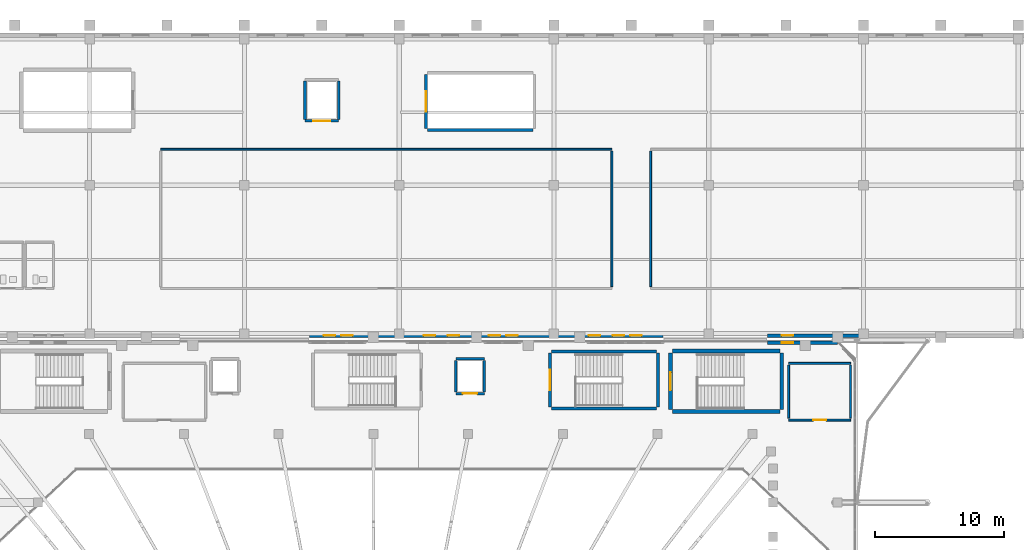
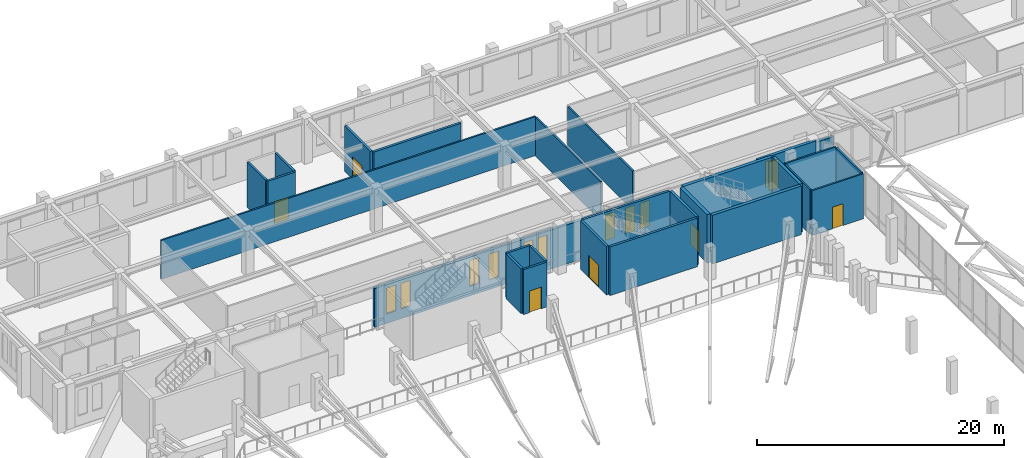
# One storey, part 61 of 79: 27 walls, 11 windows, 6 doors, 17 openings.
"""IFC4 building model written with IfcOpenShell, lengths in metres."""

from ifc_helpers import new_model, si_unit, derived_unit, direction, frame, frame_2d, origin, place, context, subcontext, project, spatial, rectangle, extrude, material, layer, layer_set, type_object, element, fill, save


model = new_model("IFC4")

# Units and contexts
model_context = context("Model", 3, precision=1e-05, world=origin(), true_north=direction((0.0, 1.0)))
body_context = subcontext(model_context, "Body", "Model", "MODEL_VIEW")
ifc_project = project(units=[si_unit("LENGTHUNIT", "METRE"), si_unit("AREAUNIT", "SQUARE_METRE"), si_unit("VOLUMEUNIT", "CUBIC_METRE"), si_unit("PLANEANGLEUNIT", "RADIAN"), si_unit("MASSUNIT", "GRAM", prefix="KILO"), derived_unit("THERMALTRANSMITTANCEUNIT", [(si_unit("MASSUNIT", "GRAM", prefix="KILO"), 1), (si_unit("TIMEUNIT", "SECOND"), -3), (si_unit("THERMODYNAMICTEMPERATUREUNIT", "KELVIN"), -1)])], contexts=[model_context])

# Site, building, storey
site_placement = place(None, origin())
site = spatial("IfcSite", under=ifc_project, at=site_placement, CompositionType="ELEMENT")
building_placement = place(site_placement, origin())
building = spatial("IfcBuilding", under=site, at=building_placement, Name="Valcora Ridge Arena", CompositionType="ELEMENT")
storey_placement = place(building_placement, frame((0.0, 0.0, 16.199951171875)))
storey = spatial("IfcBuildingStorey", under=building, at=storey_placement, Name="L03", CompositionType="ELEMENT", Elevation=16.199951171875)

# Wall, openings, windows
ifc_material_1 = material(Name="Bush-hammered Andean travertine on concrete backup C40/50", Category="masonry")
ifc_layer_1 = layer(ifc_material_1, 0.280029296875, Name="Bush-hammered Andean travertine on concrete backup C40/50")
ifc_layer_set_1 = layer_set([ifc_layer_1], Name="Bush-hammered Andean travertine on concrete backup C40/50")
wall_type_1 = type_object("IfcWallType", Name="TY-WALL-EW-TRV-28-38", PredefinedType="STANDARD", material=ifc_layer_set_1)
wall_1_placement = place(storey_placement, frame((53.050048828125, 108.550048828125, 0.0), z_axis=(0.0, 0.0, 1.0), x_axis=(1.0, 0.0, 0.0)))
wall_1 = element("IfcWall", 1, at=wall_1_placement, inside=storey, type_object=wall_type_1, Name="EW-TRV-28-38 WAL-EW-0217", PredefinedType="STANDARD", context=body_context, shape_type="SweptSolid", body=[
    extrude(rectangle(XDim=27.39990234375, YDim=0.280029296875, at=frame_2d((13.699951171875, 0.0))), origin(), (0.0, 0.0, 1.0), 3.84814453125),
])
opening_1_placement = place(wall_1_placement, frame((1.10009765625, 0.0, 0.949951171875)))
opening_1 = element("IfcOpeningElement", 2, at=opening_1_placement, cuts=wall_1, Name="Opening W-GLAN-90X255", PredefinedType="OPENING", context=body_context, shape_type="SweptSolid", body=[
    extrude(rectangle(XDim=0.89990234375, YDim=2.550048828125, at=frame_2d((0.449951171875, 1.27490234375))), frame((0.0, 0.14990234375, 0.0), z_axis=(0.0, -1.0, 0.0), x_axis=(1.0, 0.0, 0.0)), (0.0, 0.0, 1.0), 0.300048828125),
])
opening_2_placement = place(wall_1_placement, frame((2.449951171875, 0.0, 0.949951171875)))
opening_2 = element("IfcOpeningElement", 3, at=opening_2_placement, cuts=wall_1, Name="Opening W-GLAN-90X255", PredefinedType="OPENING", context=body_context, shape_type="SweptSolid", body=[
    extrude(rectangle(XDim=0.89990234375, YDim=2.550048828125, at=frame_2d((0.449951171875, 1.27490234375))), frame((0.0, 0.14990234375, 0.0), z_axis=(0.0, -1.0, 0.0), x_axis=(1.0, 0.0, 0.0)), (0.0, 0.0, 1.0), 0.300048828125),
])
opening_3_placement = place(wall_1_placement, frame((8.85009765625, 0.0, 0.949951171875)))
opening_3 = element("IfcOpeningElement", 4, at=opening_3_placement, cuts=wall_1, Name="Opening W-GLAN-90X255", PredefinedType="OPENING", context=body_context, shape_type="SweptSolid", body=[
    extrude(rectangle(XDim=0.89990234375, YDim=2.550048828125, at=frame_2d((0.449951171875, 1.27490234375))), frame((0.0, 0.14990234375, 0.0), z_axis=(0.0, -1.0, 0.0), x_axis=(1.0, 0.0, 0.0)), (0.0, 0.0, 1.0), 0.300048828125),
])
opening_4_placement = place(wall_1_placement, frame((10.699951171875, 0.0, 0.949951171875)))
opening_4 = element("IfcOpeningElement", 5, at=opening_4_placement, cuts=wall_1, Name="Opening W-GLAN-90X255", PredefinedType="OPENING", context=body_context, shape_type="SweptSolid", body=[
    extrude(rectangle(XDim=0.89990234375, YDim=2.550048828125, at=frame_2d((0.449951171875, 1.27490234375))), frame((0.0, 0.14990234375, 0.0), z_axis=(0.0, -1.0, 0.0), x_axis=(1.0, 0.0, 0.0)), (0.0, 0.0, 1.0), 0.300048828125),
])
opening_5_placement = place(wall_1_placement, frame((13.89990234375, 0.0, 0.949951171875)))
opening_5 = element("IfcOpeningElement", 6, at=opening_5_placement, cuts=wall_1, Name="Opening W-GLAN-90X255", PredefinedType="OPENING", context=body_context, shape_type="SweptSolid", body=[
    extrude(rectangle(XDim=0.89990234375, YDim=2.550048828125, at=frame_2d((0.449951171875, 1.27490234375))), frame((0.0, 0.14990234375, 0.0), z_axis=(0.0, -1.0, 0.0), x_axis=(1.0, 0.0, 0.0)), (0.0, 0.0, 1.0), 0.300048828125),
])
opening_6_placement = place(wall_1_placement, frame((15.25, 0.0, 0.949951171875)))
opening_6 = element("IfcOpeningElement", 7, at=opening_6_placement, cuts=wall_1, Name="Opening W-GLAN-90X255", PredefinedType="OPENING", context=body_context, shape_type="SweptSolid", body=[
    extrude(rectangle(XDim=0.89990234375, YDim=2.550048828125, at=frame_2d((0.449951171875, 1.27490234375))), frame((0.0, 0.14990234375, 0.0), z_axis=(0.0, -1.0, 0.0), x_axis=(1.0, 0.0, 0.0)), (0.0, 0.0, 1.0), 0.300048828125),
])
opening_7_placement = place(wall_1_placement, frame((21.64990234375, 0.0, 0.949951171875)))
opening_7 = element("IfcOpeningElement", 8, at=opening_7_placement, cuts=wall_1, Name="Opening W-GLAN-90X255", PredefinedType="OPENING", context=body_context, shape_type="SweptSolid", body=[
    extrude(rectangle(XDim=0.89990234375, YDim=2.550048828125, at=frame_2d((0.449951171875, 1.27490234375))), frame((0.0, 0.14990234375, 0.0), z_axis=(0.0, -1.0, 0.0), x_axis=(1.0, 0.0, 0.0)), (0.0, 0.0, 1.0), 0.300048828125),
])
opening_8_placement = place(wall_1_placement, frame((23.5, 0.0, 0.949951171875)))
opening_8 = element("IfcOpeningElement", 9, at=opening_8_placement, cuts=wall_1, Name="Opening W-GLAN-90X255", PredefinedType="OPENING", context=body_context, shape_type="SweptSolid", body=[
    extrude(rectangle(XDim=0.89990234375, YDim=2.550048828125, at=frame_2d((0.449951171875, 1.27490234375))), frame((0.0, 0.14990234375, 0.0), z_axis=(0.0, -1.0, 0.0), x_axis=(1.0, 0.0, 0.0)), (0.0, 0.0, 1.0), 0.300048828125),
])
opening_9_placement = place(wall_1_placement, frame((24.85009765625, 0.0, 0.949951171875)))
opening_9 = element("IfcOpeningElement", 10, at=opening_9_placement, cuts=wall_1, Name="Opening W-GLAN-90X255", PredefinedType="OPENING", context=body_context, shape_type="SweptSolid", body=[
    extrude(rectangle(XDim=0.89990234375, YDim=2.550048828125, at=frame_2d((0.449951171875, 1.27490234375))), frame((0.0, 0.14990234375, 0.0), z_axis=(0.0, -1.0, 0.0), x_axis=(1.0, 0.0, 0.0)), (0.0, 0.0, 1.0), 0.300048828125),
])
ifc_material_2 = material(Name="Low-iron solar-control double glazing SHGC 0.28", Category="glass")
window_type_1 = type_object("IfcWindowType", Name="TY-WINDOW-W-GLAN-90X255", PartitioningType="DOUBLE_PANEL_VERTICAL", PredefinedType="WINDOW", material=ifc_material_2)
window_1_placement = place(opening_1_placement, origin())
window_1 = element("IfcWindow", 11, at=window_1_placement, inside=storey, type_object=window_type_1, Name="W-GLAN-90X255 WIN-EX-0653", OverallHeight=2.550048828125, OverallWidth=0.89990234375, PartitioningType="DOUBLE_PANEL_VERTICAL", PredefinedType="WINDOW", context=body_context, shape_type="SweptSolid", body=[
    extrude(rectangle(XDim=0.89990234375, YDim=2.550048828125, at=frame_2d((0.449951171875, 1.27490234375))), frame((0.0, 0.030029296875, 0.0), z_axis=(0.0, -1.0, 0.0), x_axis=(1.0, 0.0, 0.0)), (0.0, 0.0, 1.0), 0.06005859375),
])
fill(opening_1, window_1)
window_2_placement = place(opening_2_placement, origin())
window_2 = element("IfcWindow", 12, at=window_2_placement, inside=storey, type_object=window_type_1, Name="W-GLAN-90X255 WIN-EX-0654", OverallHeight=2.550048828125, OverallWidth=0.89990234375, PartitioningType="DOUBLE_PANEL_VERTICAL", PredefinedType="WINDOW", context=body_context, shape_type="SweptSolid", body=[
    extrude(rectangle(XDim=0.89990234375, YDim=2.550048828125, at=frame_2d((0.449951171875, 1.27490234375))), frame((0.0, 0.030029296875, 0.0), z_axis=(0.0, -1.0, 0.0), x_axis=(1.0, 0.0, 0.0)), (0.0, 0.0, 1.0), 0.06005859375),
])
fill(opening_2, window_2)
window_3_placement = place(opening_3_placement, origin())
window_3 = element("IfcWindow", 13, at=window_3_placement, inside=storey, type_object=window_type_1, Name="W-GLAN-90X255 WIN-EX-0655", OverallHeight=2.550048828125, OverallWidth=0.89990234375, PartitioningType="DOUBLE_PANEL_VERTICAL", PredefinedType="WINDOW", context=body_context, shape_type="SweptSolid", body=[
    extrude(rectangle(XDim=0.89990234375, YDim=2.550048828125, at=frame_2d((0.449951171875, 1.27490234375))), frame((0.0, 0.030029296875, 0.0), z_axis=(0.0, -1.0, 0.0), x_axis=(1.0, 0.0, 0.0)), (0.0, 0.0, 1.0), 0.06005859375),
])
fill(opening_3, window_3)
window_4_placement = place(opening_4_placement, origin())
window_4 = element("IfcWindow", 14, at=window_4_placement, inside=storey, type_object=window_type_1, Name="W-GLAN-90X255 WIN-EX-0656", OverallHeight=2.550048828125, OverallWidth=0.89990234375, PartitioningType="DOUBLE_PANEL_VERTICAL", PredefinedType="WINDOW", context=body_context, shape_type="SweptSolid", body=[
    extrude(rectangle(XDim=0.89990234375, YDim=2.550048828125, at=frame_2d((0.449951171875, 1.27490234375))), frame((0.0, 0.030029296875, 0.0), z_axis=(0.0, -1.0, 0.0), x_axis=(1.0, 0.0, 0.0)), (0.0, 0.0, 1.0), 0.06005859375),
])
fill(opening_4, window_4)
window_5_placement = place(opening_5_placement, origin())
window_5 = element("IfcWindow", 15, at=window_5_placement, inside=storey, type_object=window_type_1, Name="W-GLAN-90X255 WIN-EX-0657", OverallHeight=2.550048828125, OverallWidth=0.89990234375, PartitioningType="DOUBLE_PANEL_VERTICAL", PredefinedType="WINDOW", context=body_context, shape_type="SweptSolid", body=[
    extrude(rectangle(XDim=0.89990234375, YDim=2.550048828125, at=frame_2d((0.449951171875, 1.27490234375))), frame((0.0, 0.030029296875, 0.0), z_axis=(0.0, -1.0, 0.0), x_axis=(1.0, 0.0, 0.0)), (0.0, 0.0, 1.0), 0.06005859375),
])
fill(opening_5, window_5)
window_6_placement = place(opening_6_placement, origin())
window_6 = element("IfcWindow", 16, at=window_6_placement, inside=storey, type_object=window_type_1, Name="W-GLAN-90X255 WIN-EX-0658", OverallHeight=2.550048828125, OverallWidth=0.89990234375, PartitioningType="DOUBLE_PANEL_VERTICAL", PredefinedType="WINDOW", context=body_context, shape_type="SweptSolid", body=[
    extrude(rectangle(XDim=0.89990234375, YDim=2.550048828125, at=frame_2d((0.449951171875, 1.27490234375))), frame((0.0, 0.030029296875, 0.0), z_axis=(0.0, -1.0, 0.0), x_axis=(1.0, 0.0, 0.0)), (0.0, 0.0, 1.0), 0.06005859375),
])
fill(opening_6, window_6)
window_7_placement = place(opening_7_placement, origin())
window_7 = element("IfcWindow", 17, at=window_7_placement, inside=storey, type_object=window_type_1, Name="W-GLAN-90X255 WIN-EX-0659", OverallHeight=2.550048828125, OverallWidth=0.89990234375, PartitioningType="DOUBLE_PANEL_VERTICAL", PredefinedType="WINDOW", context=body_context, shape_type="SweptSolid", body=[
    extrude(rectangle(XDim=0.89990234375, YDim=2.550048828125, at=frame_2d((0.449951171875, 1.27490234375))), frame((0.0, 0.030029296875, 0.0), z_axis=(0.0, -1.0, 0.0), x_axis=(1.0, 0.0, 0.0)), (0.0, 0.0, 1.0), 0.06005859375),
])
fill(opening_7, window_7)
window_8_placement = place(opening_8_placement, origin())
window_8 = element("IfcWindow", 18, at=window_8_placement, inside=storey, type_object=window_type_1, Name="W-GLAN-90X255 WIN-EX-0660", OverallHeight=2.550048828125, OverallWidth=0.89990234375, PartitioningType="DOUBLE_PANEL_VERTICAL", PredefinedType="WINDOW", context=body_context, shape_type="SweptSolid", body=[
    extrude(rectangle(XDim=0.89990234375, YDim=2.550048828125, at=frame_2d((0.449951171875, 1.27490234375))), frame((0.0, 0.030029296875, 0.0), z_axis=(0.0, -1.0, 0.0), x_axis=(1.0, 0.0, 0.0)), (0.0, 0.0, 1.0), 0.06005859375),
])
fill(opening_8, window_8)
window_9_placement = place(opening_9_placement, origin())
window_9 = element("IfcWindow", 19, at=window_9_placement, inside=storey, type_object=window_type_1, Name="W-GLAN-90X255 WIN-EX-0661", OverallHeight=2.550048828125, OverallWidth=0.89990234375, PartitioningType="DOUBLE_PANEL_VERTICAL", PredefinedType="WINDOW", context=body_context, shape_type="SweptSolid", body=[
    extrude(rectangle(XDim=0.89990234375, YDim=2.550048828125, at=frame_2d((0.449951171875, 1.27490234375))), frame((0.0, 0.030029296875, 0.0), z_axis=(0.0, -1.0, 0.0), x_axis=(1.0, 0.0, 0.0)), (0.0, 0.0, 1.0), 0.06005859375),
])
fill(opening_9, window_9)

# Wall, opening, window
wall_2_placement = place(storey_placement, frame((88.550048828125, 108.550048828125, 0.0), z_axis=(0.0, 0.0, 1.0), x_axis=(1.0, 0.0, 0.0)))
wall_2 = element("IfcWall", 20, at=wall_2_placement, inside=storey, type_object=wall_type_1, Name="EW-TRV-28-38 WAL-EW-0218", PredefinedType="STANDARD", context=body_context, shape_type="SweptSolid", body=[
    extrude(rectangle(XDim=7.449951171875, YDim=0.280029296875, at=frame_2d((3.72509765625, 0.0))), origin(), (0.0, 0.0, 1.0), 3.84814453125),
])
opening_10_placement = place(wall_2_placement, frame((1.10009765625, 0.0, 0.949951171875)))
opening_10 = element("IfcOpeningElement", 21, at=opening_10_placement, cuts=wall_2, Name="Opening W-GLAN-90X255", PredefinedType="OPENING", context=body_context, shape_type="SweptSolid", body=[
    extrude(rectangle(XDim=0.89990234375, YDim=2.550048828125, at=frame_2d((0.449951171875, 1.27490234375))), frame((0.0, 0.14990234375, 0.0), z_axis=(0.0, -1.0, 0.0), x_axis=(1.0, 0.0, 0.0)), (0.0, 0.0, 1.0), 0.300048828125),
])
window_10_placement = place(opening_10_placement, origin())
window_10 = element("IfcWindow", 22, at=window_10_placement, inside=storey, type_object=window_type_1, Name="W-GLAN-90X255 WIN-EX-0662", OverallHeight=2.550048828125, OverallWidth=0.89990234375, PartitioningType="DOUBLE_PANEL_VERTICAL", PredefinedType="WINDOW", context=body_context, shape_type="SweptSolid", body=[
    extrude(rectangle(XDim=0.89990234375, YDim=2.550048828125, at=frame_2d((0.449951171875, 1.27490234375))), frame((0.0, 0.030029296875, 0.0), z_axis=(0.0, -1.0, 0.0), x_axis=(1.0, 0.0, 0.0)), (0.0, 0.0, 1.0), 0.06005859375),
])
fill(opening_10, window_10)

ifc_layer_2 = layer(ifc_material_1, 0.280029296875, Name="Bush-hammered Andean travertine on concrete backup C40/50")
ifc_layer_set_2 = layer_set([ifc_layer_2], Name="Bush-hammered Andean travertine on concrete backup C40/50")
wall_type_2 = type_object("IfcWallType", Name="TY-WALL-EW-TRV-28-44", PredefinedType="STANDARD", material=ifc_layer_set_2)
wall_3_placement = place(storey_placement, frame((88.550048828125, 108.0, 0.0), z_axis=(0.0, 0.0, 1.0), x_axis=(1.0, 0.0, 0.0)))
wall_3 = element("IfcWall", 23, at=wall_3_placement, inside=storey, type_object=wall_type_2, Name="EW-TRV-28-44 WAL-EW-0058", PredefinedType="STANDARD", context=body_context, shape_type="SweptSolid", body=[
    extrude(rectangle(XDim=5.449951171875, YDim=0.280029296875, at=frame_2d((2.72509765625, 0.0))), origin(), (0.0, 0.0, 1.0), 4.43994140625),
])
opening_11_placement = place(wall_3_placement, frame((1.10009765625, 0.0, 0.949951171875)))
opening_11 = element("IfcOpeningElement", 24, at=opening_11_placement, cuts=wall_3, Name="Opening W-GLAN-90X285", PredefinedType="OPENING", context=body_context, shape_type="SweptSolid", body=[
    extrude(rectangle(XDim=0.89990234375, YDim=2.85009765625, at=frame_2d((0.449951171875, 1.425048828125))), frame((0.0, 0.14990234375, 0.0), z_axis=(0.0, -1.0, 0.0), x_axis=(1.0, 0.0, 0.0)), (0.0, 0.0, 1.0), 0.300048828125),
])
window_type_2 = type_object("IfcWindowType", Name="TY-WINDOW-W-GLAN-90X285", PartitioningType="DOUBLE_PANEL_VERTICAL", PredefinedType="WINDOW", material=ifc_material_2)
window_11_placement = place(opening_11_placement, origin())
window_11 = element("IfcWindow", 25, at=window_11_placement, inside=storey, type_object=window_type_2, Name="W-GLAN-90X285 WIN-EX-0134", OverallHeight=2.85009765625, OverallWidth=0.89990234375, PartitioningType="DOUBLE_PANEL_VERTICAL", PredefinedType="WINDOW", context=body_context, shape_type="SweptSolid", body=[
    extrude(rectangle(XDim=0.89990234375, YDim=2.85009765625, at=frame_2d((0.449951171875, 1.425048828125))), frame((0.0, 0.030029296875, 0.0), z_axis=(0.0, -1.0, 0.0), x_axis=(1.0, 0.0, 0.0)), (0.0, 0.0, 1.0), 0.06005859375),
])
fill(opening_11, window_11)

# Wall, opening, door
ifc_material_3 = material(Name="Fire-rated masonry-core compartment wall C35/45 150 mm", Category="masonry")
ifc_layer_3 = layer(ifc_material_3, 0.14990234375, Name="Fire-rated masonry-core compartment wall C35/45 150 mm")
ifc_layer_set_3 = layer_set([ifc_layer_3], Name="Fire-rated masonry-core compartment wall C35/45 150 mm")
wall_type_3 = type_object("IfcWallType", Name="TY-WALL-IW-COMP-150", PredefinedType="STANDARD", material=ifc_layer_set_3)
wall_4_placement = place(storey_placement, frame((90.199951171875, 102.0, 0.0), z_axis=(0.0, 0.0, 1.0), x_axis=(1.0, 0.0, 0.0)))
wall_4 = element("IfcWall", 26, at=wall_4_placement, inside=storey, type_object=wall_type_3, Name="IW-COMP-150 WAL-IN-0415", PredefinedType="STANDARD", context=body_context, shape_type="SweptSolid", body=[
    extrude(rectangle(XDim=4.800048828125, YDim=0.14990234375, at=frame_2d((2.39990234375, 0.0))), origin(), (0.0, 0.0, 1.0), 4.43994140625),
])
opening_12_placement = place(wall_4_placement, frame((1.89990234375, 0.0, 0.0)))
opening_12 = element("IfcOpeningElement", 27, at=opening_12_placement, cuts=wall_4, Name="Opening FD-STE-1000", PredefinedType="OPENING", context=body_context, shape_type="SweptSolid", body=[
    extrude(rectangle(XDim=1.0, YDim=2.14990234375, at=frame_2d((0.5, 1.074951171875))), frame((0.0, 0.0849609375, 0.0), z_axis=(0.0, -1.0, 0.0), x_axis=(1.0, 0.0, 0.0)), (0.0, 0.0, 1.0), 0.169921875),
])
ifc_material_4 = material(Name="Insulated fire-rated steel door leaf", Category="steel")
door_type_1 = type_object("IfcDoorType", Name="TY-DOOR-FD-STE-1000", OperationType="NOTDEFINED", PredefinedType="DOOR", material=ifc_material_4)
door_1_placement = place(opening_12_placement, origin())
door_1 = element("IfcDoor", 28, at=door_1_placement, inside=storey, type_object=door_type_1, Name="FD-STE-1000 DOR-IN-0109", OperationType="SINGLE_SWING_LEFT", OverallHeight=2.14990234375, OverallWidth=1.0, PredefinedType="DOOR", context=body_context, shape_type="SweptSolid", body=[
    extrude(rectangle(XDim=1.0, YDim=2.14990234375, at=frame_2d((0.5, 1.074951171875))), frame((0.0, 0.02490234375, 0.0), z_axis=(0.0, -1.0, 0.0), x_axis=(1.0, 0.0, 0.0)), (0.0, 0.0, 1.0), 0.050048828125),
])
fill(opening_12, door_1)

# Walls
wall_5_placement = place(storey_placement, frame((90.199951171875, 106.39990234375, 0.0), z_axis=(0.0, 0.0, 1.0), x_axis=(1.0, 0.0, 0.0)))
element("IfcWall", 29, at=wall_5_placement, inside=storey, type_object=wall_type_3, Name="IW-COMP-150 WAL-IN-0416", PredefinedType="STANDARD", context=body_context, shape_type="SweptSolid", body=[
    extrude(rectangle(XDim=4.800048828125, YDim=0.14990234375, at=frame_2d((2.39990234375, 0.0))), origin(), (0.0, 0.0, 1.0), 4.43994140625),
])
for number, where, z_axis, x_axis, name in (
    (30, (90.199951171875, 102.14990234375, 0.0), (0.0, 0.0, 1.0), (0.0, 1.0, 0.0), "IW-COMP-150 WAL-IN-0417"),
    (31, (95.0, 102.14990234375, 0.0), (0.0, 0.0, 1.0), (0.0, 1.0, 0.0), "IW-COMP-150 WAL-IN-0418"),
):
    element("IfcWall", number, at=place(storey_placement, frame(where, z_axis=z_axis, x_axis=x_axis)), inside=storey, type_object=wall_type_3, Name=name, PredefinedType="STANDARD", context=body_context, shape_type="SweptSolid", body=[
        extrude(rectangle(XDim=4.10009765625, YDim=0.14990234375, at=frame_2d((2.050048828125, 0.0))), origin(), (0.0, 0.0, 1.0), 4.43994140625),
    ])
wall_6_placement = place(storey_placement, frame((41.5, 123.0, 0.0), z_axis=(0.0, 0.0, 1.0), x_axis=(1.0, 0.0, 0.0)))
element("IfcWall", 32, at=wall_6_placement, inside=storey, type_object=wall_type_3, Name="IW-COMP-150 WAL-IN-0440", PredefinedType="STANDARD", context=body_context, shape_type="SweptSolid", body=[
    extrude(rectangle(XDim=35.0, YDim=0.14990234375, at=frame_2d((17.5, 0.0))), origin(), (0.0, 0.0, 1.0), 3.84814453125),
])
for number, where, z_axis, x_axis, name in (
    (33, (76.5, 112.35009765625, 0.0), (0.0, 0.0, 1.0), (0.0, 1.0, 0.0), "IW-COMP-150 WAL-IN-0442"),
    (34, (79.5, 112.35009765625, 0.0), (0.0, 0.0, 1.0), (0.0, 1.0, 0.0), "IW-COMP-150 WAL-IN-0445"),
):
    element("IfcWall", number, at=place(storey_placement, frame(where, z_axis=z_axis, x_axis=x_axis)), inside=storey, type_object=wall_type_3, Name=name, PredefinedType="STANDARD", context=body_context, shape_type="SweptSolid", body=[
        extrude(rectangle(XDim=10.5, YDim=0.14990234375, at=frame_2d((5.25, 0.0))), origin(), (0.0, 0.0, 1.0), 3.84814453125),
    ])

# Wall, opening, door
ifc_material_5 = material(Name="Concrete C40/50", Category="concrete")
ifc_layer_4 = layer(ifc_material_5, 0.199951171875, Name="Concrete C40/50")
ifc_layer_set_4 = layer_set([ifc_layer_4], Name="Concrete C40/50")
wall_type_4 = type_object("IfcWallType", Name="TY-WALL-IW-SHF-200", PredefinedType="STANDARD", material=ifc_layer_set_4)
wall_7_placement = place(storey_placement, frame((64.39990234375, 104.050048828125, 0.0), z_axis=(0.0, 0.0, 1.0), x_axis=(1.0, 0.0, 0.0)))
wall_7 = element("IfcWall", 35, at=wall_7_placement, inside=storey, type_object=wall_type_4, Name="IW-SHF-200 WAL-SH-0145", PredefinedType="STANDARD", context=body_context, shape_type="SweptSolid", body=[
    extrude(rectangle(XDim=2.2001953125, YDim=0.199951171875, at=frame_2d((1.10009765625, 0.0))), origin(), (0.0, 0.0, 1.0), 4.43994140625),
])
opening_13_placement = place(wall_7_placement, frame((0.550048828125, 0.0, 0.0)))
opening_13 = element("IfcOpeningElement", 36, at=opening_13_placement, cuts=wall_7, Name="Opening LD-PAX", PredefinedType="OPENING", context=body_context, shape_type="SweptSolid", body=[
    extrude(rectangle(XDim=1.10009765625, YDim=2.14990234375, at=frame_2d((0.550048828125, 1.074951171875))), frame((0.0, 0.10986328125, 0.0), z_axis=(0.0, -1.0, 0.0), x_axis=(1.0, 0.0, 0.0)), (0.0, 0.0, 1.0), 0.219970703125),
])
ifc_material_6 = material(Name="Insulated fire-rated hollow metal steel", Category="steel")
door_type_2 = type_object("IfcDoorType", Name="TY-DOOR-LD-PAX", OperationType="NOTDEFINED", PredefinedType="DOOR", material=ifc_material_6)
door_2_placement = place(opening_13_placement, origin())
door_2 = element("IfcDoor", 37, at=door_2_placement, inside=storey, type_object=door_type_2, Name="PL4 Landing Door L03", OperationType="SLIDING_TO_LEFT", OverallHeight=2.14990234375, OverallWidth=1.10009765625, PredefinedType="DOOR", context=body_context, shape_type="SweptSolid", body=[
    extrude(rectangle(XDim=1.10009765625, YDim=2.14990234375, at=frame_2d((0.550048828125, 1.074951171875))), frame((0.0, 0.02490234375, 0.0), z_axis=(0.0, -1.0, 0.0), x_axis=(1.0, 0.0, 0.0)), (0.0, 0.0, 1.0), 0.050048828125),
])
fill(opening_13, door_2)

# Walls
wall_8_placement = place(storey_placement, frame((64.39990234375, 106.75, 0.0), z_axis=(0.0, 0.0, 1.0), x_axis=(1.0, 0.0, 0.0)))
element("IfcWall", 38, at=wall_8_placement, inside=storey, type_object=wall_type_4, Name="IW-SHF-200 WAL-SH-0146", PredefinedType="STANDARD", context=body_context, shape_type="SweptSolid", body=[
    extrude(rectangle(XDim=2.2001953125, YDim=0.199951171875, at=frame_2d((1.10009765625, 0.0))), origin(), (0.0, 0.0, 1.0), 4.43994140625),
])
for number, where, z_axis, x_axis, name in (
    (39, (64.39990234375, 104.169921875, 0.0), (0.0, 0.0, 1.0), (0.0, 1.0, 0.0), "IW-SHF-200 WAL-SH-0147"),
    (40, (66.60009765625, 104.169921875, 0.0), (0.0, 0.0, 1.0), (0.0, 1.0, 0.0), "IW-SHF-200 WAL-SH-0148"),
):
    element("IfcWall", number, at=place(storey_placement, frame(where, z_axis=z_axis, x_axis=x_axis)), inside=storey, type_object=wall_type_4, Name=name, PredefinedType="STANDARD", context=body_context, shape_type="SweptSolid", body=[
        extrude(rectangle(XDim=2.4599609375, YDim=0.199951171875, at=frame_2d((1.22998046875, 0.0))), origin(), (0.0, 0.0, 1.0), 4.43994140625),
    ])

# Wall, opening, door
wall_9_placement = place(storey_placement, frame((52.699951171875, 125.199951171875, 0.0), z_axis=(0.0, 0.0, 1.0), x_axis=(1.0, 0.0, 0.0)))
wall_9 = element("IfcWall", 41, at=wall_9_placement, inside=storey, type_object=wall_type_4, Name="IW-SHF-200 WAL-SH-0261", PredefinedType="STANDARD", context=body_context, shape_type="SweptSolid", body=[
    extrude(rectangle(XDim=2.60009765625, YDim=0.199951171875, at=frame_2d((1.300048828125, 0.0))), origin(), (0.0, 0.0, 1.0), 4.4599609375),
])
opening_14_placement = place(wall_9_placement, frame((0.64990234375, 0.0, 0.0)))
opening_14 = element("IfcOpeningElement", 42, at=opening_14_placement, cuts=wall_9, Name="Opening LD-GDS", PredefinedType="OPENING", context=body_context, shape_type="SweptSolid", body=[
    extrude(rectangle(XDim=1.300048828125, YDim=2.14990234375, at=frame_2d((0.64990234375, 1.074951171875))), frame((0.0, 0.10986328125, 0.0), z_axis=(0.0, -1.0, 0.0), x_axis=(1.0, 0.0, 0.0)), (0.0, 0.0, 1.0), 0.219970703125),
])
door_type_3 = type_object("IfcDoorType", Name="TY-DOOR-LD-GDS", OperationType="NOTDEFINED", PredefinedType="DOOR", material=ifc_material_6)
door_3_placement = place(opening_14_placement, origin())
door_3 = element("IfcDoor", 43, at=door_3_placement, inside=storey, type_object=door_type_3, Name="GL1 Landing Door L03", OperationType="SLIDING_TO_LEFT", OverallHeight=2.14990234375, OverallWidth=1.300048828125, PredefinedType="DOOR", context=body_context, shape_type="SweptSolid", body=[
    extrude(rectangle(XDim=1.300048828125, YDim=2.14990234375, at=frame_2d((0.64990234375, 1.074951171875))), frame((0.0, 0.02490234375, 0.0), z_axis=(0.0, -1.0, 0.0), x_axis=(1.0, 0.0, 0.0)), (0.0, 0.0, 1.0), 0.050048828125),
])
fill(opening_14, door_3)

# Walls
for number, where, z_axis, x_axis, name in (
    (44, (52.699951171875, 125.320068359375, 0.0), (0.0, 0.0, 1.0), (0.0, 1.0, 0.0), "IW-SHF-200 WAL-SH-0263"),
    (45, (55.300048828125, 125.320068359375, 0.0), (0.0, 0.0, 1.0), (0.0, 1.0, 0.0), "IW-SHF-200 WAL-SH-0264"),
):
    element("IfcWall", number, at=place(storey_placement, frame(where, z_axis=z_axis, x_axis=x_axis)), inside=storey, type_object=wall_type_4, Name=name, PredefinedType="STANDARD", context=body_context, shape_type="SweptSolid", body=[
        extrude(rectangle(XDim=2.9599609375, YDim=0.199951171875, at=frame_2d((1.47998046875, 0.0))), origin(), (0.0, 0.0, 1.0), 4.4599609375),
    ])
ifc_material_7 = material(Name="Concrete C45/55", Category="concrete")
ifc_layer_5 = layer(ifc_material_7, 0.300048828125, Name="Concrete C45/55")
ifc_layer_set_5 = layer_set([ifc_layer_5], Name="Concrete C45/55")
wall_type_5 = type_object("IfcWallType", Name="TY-WALL-SW-C300-L", PredefinedType="SHEAR", material=ifc_layer_set_5)
for number, where, z_axis, x_axis, name in (
    (46, (81.199951171875, 102.64990234375, 0.0), (0.0, 0.0, 1.0), (1.0, 0.0, 0.0), "SW-C300-L WAL-CR-0097"),
    (47, (81.199951171875, 107.35009765625, 0.0), (0.0, 0.0, 1.0), (1.0, 0.0, 0.0), "SW-C300-L WAL-CR-0098"),
):
    element("IfcWall", number, at=place(storey_placement, frame(where, z_axis=z_axis, x_axis=x_axis)), inside=storey, type_object=wall_type_5, Name=name, PredefinedType="SHEAR", context=body_context, shape_type="SweptSolid", body=[
        extrude(rectangle(XDim=8.320068359375, YDim=0.300048828125, at=frame_2d((4.16015625, 0.0))), origin(), (0.0, 0.0, 1.0), 4.800048828125),
    ])

# Wall, opening, door
ifc_layer_6 = layer(ifc_material_7, 0.300048828125, Name="Concrete C45/55")
ifc_layer_set_6 = layer_set([ifc_layer_6], Name="Concrete C45/55")
wall_type_6 = type_object("IfcWallType", Name="TY-WALL-SW-C300-S", PredefinedType="SHEAR", material=ifc_layer_set_6)
wall_10_placement = place(storey_placement, frame((81.050048828125, 102.800048828125, 0.0), z_axis=(0.0, 0.0, 1.0), x_axis=(0.0, 1.0, 0.0)))
wall_10 = element("IfcWall", 48, at=wall_10_placement, inside=storey, type_object=wall_type_6, Name="SW-C300-S WAL-CR-0099", PredefinedType="SHEAR", context=body_context, shape_type="SweptSolid", body=[
    extrude(rectangle(XDim=4.39990234375, YDim=0.300048828125, at=frame_2d((2.199951171875, 0.0))), origin(), (0.0, 0.0, 1.0), 4.800048828125),
])
opening_15_placement = place(wall_10_placement, frame((1.5, 0.0, 0.0)))
opening_15 = element("IfcOpeningElement", 49, at=opening_15_placement, cuts=wall_10, Name="Opening FD-01", PredefinedType="OPENING", context=body_context, shape_type="SweptSolid", body=[
    extrude(rectangle(XDim=1.39990234375, YDim=2.199951171875, at=frame_2d((0.699951171875, 1.10009765625))), frame((0.0, 0.159912109375, 0.0), z_axis=(0.0, -1.0, 0.0), x_axis=(1.0, 0.0, 0.0)), (0.0, 0.0, 1.0), 0.320068359375),
])
door_type_4 = type_object("IfcDoorType", Name="TY-DOOR-FD-01", OperationType="NOTDEFINED", PredefinedType="DOOR", material=ifc_material_4)
door_4_placement = place(opening_15_placement, origin())
door_4 = element("IfcDoor", 50, at=door_4_placement, inside=storey, type_object=door_type_4, Name="FD-01 DOR-ST-0025", OperationType="DOUBLE_DOOR_SINGLE_SWING", OverallHeight=2.199951171875, OverallWidth=1.39990234375, PredefinedType="DOOR", context=body_context, shape_type="SweptSolid", body=[
    extrude(rectangle(XDim=1.39990234375, YDim=2.199951171875, at=frame_2d((0.699951171875, 1.10009765625))), frame((0.0, 0.02490234375, 0.0), z_axis=(0.0, -1.0, 0.0), x_axis=(1.0, 0.0, 0.0)), (0.0, 0.0, 1.0), 0.050048828125),
])
fill(opening_15, door_4)

# Walls
wall_11_placement = place(storey_placement, frame((89.669921875, 102.800048828125, 0.0), z_axis=(0.0, 0.0, 1.0), x_axis=(0.0, 1.0, 0.0)))
element("IfcWall", 51, at=wall_11_placement, inside=storey, type_object=wall_type_6, Name="SW-C300-S WAL-CR-0100", PredefinedType="SHEAR", context=body_context, shape_type="SweptSolid", body=[
    extrude(rectangle(XDim=4.39990234375, YDim=0.300048828125, at=frame_2d((2.199951171875, 0.0))), origin(), (0.0, 0.0, 1.0), 4.800048828125),
])
ifc_material_8 = material(Name="Fire-resisting reinforced concrete enclosure C40/50 200 mm", Category="concrete")
ifc_layer_7 = layer(ifc_material_8, 0.219970703125, Name="Fire-resisting reinforced concrete enclosure C40/50 200 mm")
ifc_layer_set_7 = layer_set([ifc_layer_7], Name="Fire-resisting reinforced concrete enclosure C40/50 200 mm")
wall_type_7 = type_object("IfcWallType", Name="TY-WALL-SW-ES-220", PredefinedType="SHEAR", material=ifc_layer_set_7)
for number, where, z_axis, x_axis, name in (
    (52, (71.800048828125, 102.889892578125, 0.0), (0.0, 0.0, 1.0), (1.0, 0.0, 0.0), "SW-ES-220 WAL-ES-0089"),
    (53, (71.800048828125, 107.31005859375, 0.0), (0.0, 0.0, 1.0), (1.0, 0.0, 0.0), "SW-ES-220 WAL-ES-0090"),
):
    element("IfcWall", number, at=place(storey_placement, frame(where, z_axis=z_axis, x_axis=x_axis)), inside=storey, type_object=wall_type_7, Name=name, PredefinedType="SHEAR", context=body_context, shape_type="SweptSolid", body=[
        extrude(rectangle(XDim=8.159912109375, YDim=0.219970703125, at=frame_2d((4.080078125, 0.0))), origin(), (0.0, 0.0, 1.0), 4.800048828125),
    ])

# Wall, opening, door
wall_12_placement = place(storey_placement, frame((71.68994140625, 103.0, 0.0), z_axis=(0.0, 0.0, 1.0), x_axis=(0.0, 1.0, 0.0)))
wall_12 = element("IfcWall", 54, at=wall_12_placement, inside=storey, type_object=wall_type_7, Name="SW-ES-220 WAL-ES-0091", PredefinedType="SHEAR", context=body_context, shape_type="SweptSolid", body=[
    extrude(rectangle(XDim=4.199951171875, YDim=0.219970703125, at=frame_2d((2.10009765625, 0.0))), origin(), (0.0, 0.0, 1.0), 4.800048828125),
])
opening_16_placement = place(wall_12_placement, frame((1.300048828125, 0.0, 0.0)))
opening_16 = element("IfcOpeningElement", 55, at=opening_16_placement, cuts=wall_12, Name="Opening FD-02", PredefinedType="OPENING", context=body_context, shape_type="SweptSolid", body=[
    extrude(rectangle(XDim=1.60009765625, YDim=2.199951171875, at=frame_2d((0.800048828125, 1.10009765625))), frame((0.0, 0.119873046875, 0.0), z_axis=(0.0, -1.0, 0.0), x_axis=(1.0, 0.0, 0.0)), (0.0, 0.0, 1.0), 0.239990234375),
])
door_type_5 = type_object("IfcDoorType", Name="TY-DOOR-FD-02", OperationType="NOTDEFINED", PredefinedType="DOOR", material=ifc_material_4)
door_5_placement = place(opening_16_placement, origin())
door_5 = element("IfcDoor", 56, at=door_5_placement, inside=storey, type_object=door_type_5, Name="FD-02 DOR-ES-0019", OperationType="DOUBLE_DOOR_SINGLE_SWING", OverallHeight=2.199951171875, OverallWidth=1.60009765625, PredefinedType="DOOR", context=body_context, shape_type="SweptSolid", body=[
    extrude(rectangle(XDim=1.60009765625, YDim=2.199951171875, at=frame_2d((0.800048828125, 1.10009765625))), frame((0.0, 0.02490234375, 0.0), z_axis=(0.0, -1.0, 0.0), x_axis=(1.0, 0.0, 0.0)), (0.0, 0.0, 1.0), 0.050048828125),
])
fill(opening_16, door_5)

# Walls
wall_13_placement = place(storey_placement, frame((80.070068359375, 103.0, 0.0), z_axis=(0.0, 0.0, 1.0), x_axis=(0.0, 1.0, 0.0)))
element("IfcWall", 57, at=wall_13_placement, inside=storey, type_object=wall_type_7, Name="SW-ES-220 WAL-ES-0092", PredefinedType="SHEAR", context=body_context, shape_type="SweptSolid", body=[
    extrude(rectangle(XDim=4.199951171875, YDim=0.219970703125, at=frame_2d((2.10009765625, 0.0))), origin(), (0.0, 0.0, 1.0), 4.800048828125),
])
wall_14_placement = place(storey_placement, frame((62.199951171875, 124.489990234375, 0.0), z_axis=(0.0, 0.0, 1.0), x_axis=(1.0, 0.0, 0.0)))
element("IfcWall", 58, at=wall_14_placement, inside=storey, type_object=wall_type_7, Name="SW-ES-220 WAL-ES-0181", PredefinedType="SHEAR", context=body_context, shape_type="SweptSolid", body=[
    extrude(rectangle(XDim=8.16015625, YDim=0.219970703125, at=frame_2d((4.080078125, 0.0))), origin(), (0.0, 0.0, 1.0), 4.4599609375),
])

# Wall, opening, door
wall_15_placement = place(storey_placement, frame((62.090087890625, 124.60009765625, 0.0), z_axis=(0.0, 0.0, 1.0), x_axis=(0.0, 1.0, 0.0)))
wall_15 = element("IfcWall", 59, at=wall_15_placement, inside=storey, type_object=wall_type_7, Name="SW-ES-220 WAL-ES-0183", PredefinedType="SHEAR", context=body_context, shape_type="SweptSolid", body=[
    extrude(rectangle(XDim=4.199951171875, YDim=0.219970703125, at=frame_2d((2.10009765625, 0.0))), origin(), (0.0, 0.0, 1.0), 4.4599609375),
])
opening_17_placement = place(wall_15_placement, frame((1.300048828125, 0.0, 0.0)))
opening_17 = element("IfcOpeningElement", 60, at=opening_17_placement, cuts=wall_15, Name="Opening FD-02", PredefinedType="OPENING", context=body_context, shape_type="SweptSolid", body=[
    extrude(rectangle(XDim=1.60009765625, YDim=2.199951171875, at=frame_2d((0.800048828125, 1.10009765625))), frame((0.0, 0.119873046875, 0.0), z_axis=(0.0, -1.0, 0.0), x_axis=(1.0, 0.0, 0.0)), (0.0, 0.0, 1.0), 0.239990234375),
])
door_6_placement = place(opening_17_placement, origin())
door_6 = element("IfcDoor", 61, at=door_6_placement, inside=storey, type_object=door_type_5, Name="FD-02 DOR-ES-0041", OperationType="DOUBLE_DOOR_SINGLE_SWING", OverallHeight=2.199951171875, OverallWidth=1.60009765625, PredefinedType="DOOR", context=body_context, shape_type="SweptSolid", body=[
    extrude(rectangle(XDim=1.60009765625, YDim=2.199951171875, at=frame_2d((0.800048828125, 1.10009765625))), frame((0.0, 0.02490234375, 0.0), z_axis=(0.0, -1.0, 0.0), x_axis=(1.0, 0.0, 0.0)), (0.0, 0.0, 1.0), 0.050048828125),
])
fill(opening_17, door_6)

save(model, "model.ifc")
